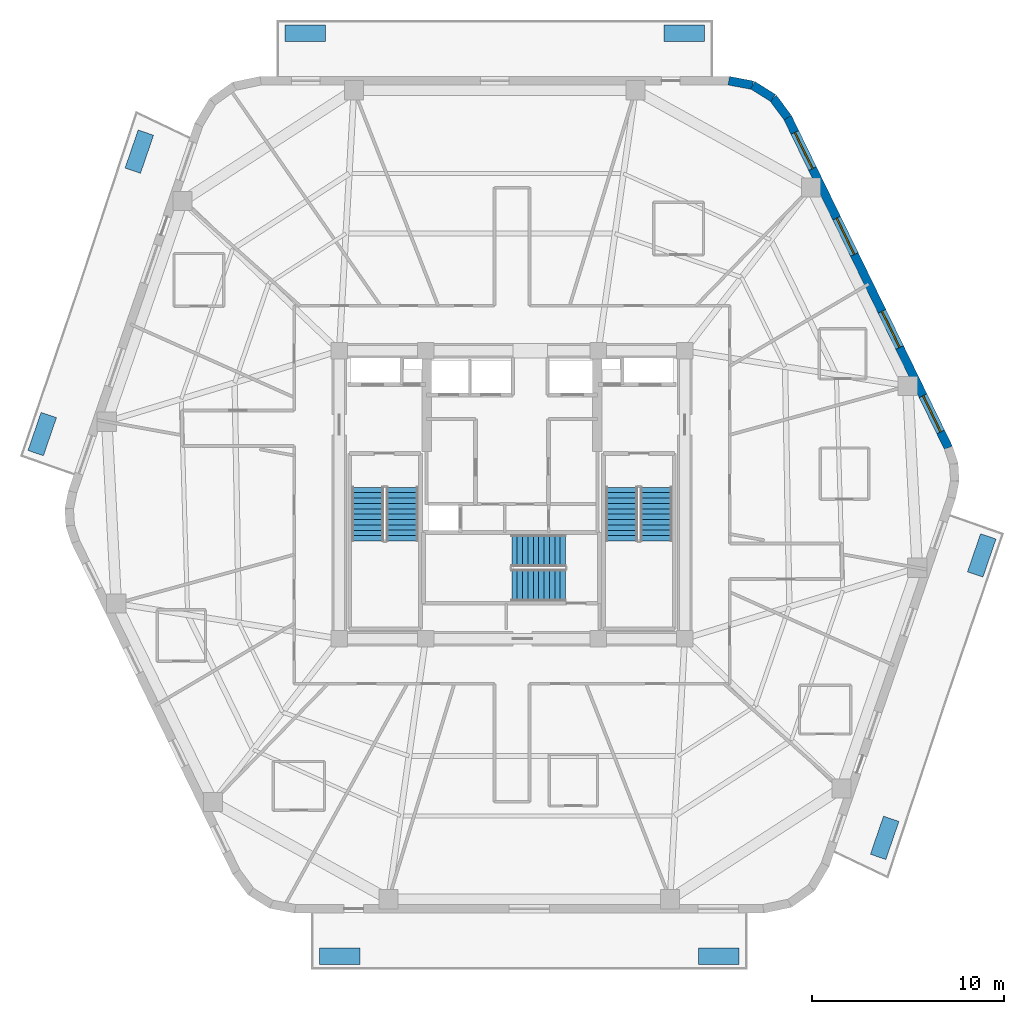
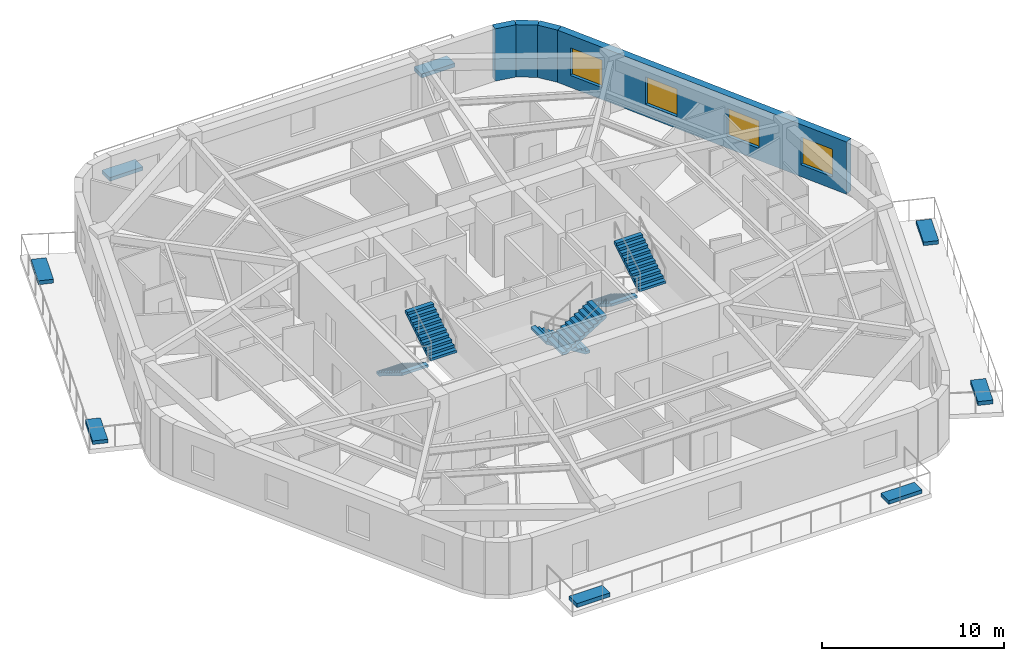
# One storey, part 7 of 9: 8 discrete accessories, 6 stair flights, 4 walls, 4 windows, 4 openings, 3 elements without a shape of their own.
"""IFC4 building model written with IfcOpenShell, lengths in metres."""

from ifc_helpers import new_model, si_unit, direction, frame, frame_2d, origin, origin_2d, place, context, subcontext, project, spatial, polyline, rectangle, outline, extrude, material, layer, layer_set, type_object, element, fill, aggregate, save


model = new_model("IFC4")

# Units and contexts
model_context = context("Model", 3, precision=1e-05, world=origin(), true_north=direction((0.0, 1.0)))
body_context = subcontext(model_context, "Body", "Model", "MODEL_VIEW")
ifc_project = project(units=[si_unit("LENGTHUNIT", "METRE"), si_unit("AREAUNIT", "SQUARE_METRE"), si_unit("VOLUMEUNIT", "CUBIC_METRE"), si_unit("PLANEANGLEUNIT", "RADIAN"), si_unit("MASSUNIT", "GRAM", prefix="KILO")], contexts=[model_context])

# Site, building, storey
site_placement = place(None, origin())
site = spatial("IfcSite", under=ifc_project, at=site_placement, CompositionType="ELEMENT")
building_placement = place(site_placement, origin())
building = spatial("IfcBuilding", under=site, at=building_placement, Name="Kilnhurst Terrace Hotel", CompositionType="ELEMENT")
storey_placement = place(building_placement, frame((0.0, 0.0, 229.300048828125)))
storey = spatial("IfcBuildingStorey", under=building, at=storey_placement, Name="L57", CompositionType="ELEMENT", Elevation=229.300048828125)

# Walls
ifc_material_1 = material(Name="Precast concrete C40/50", Category="concrete")
ifc_layer = layer(ifc_material_1, 0.449951171875, Name="Precast concrete C40/50")
ifc_layer_set = layer_set([ifc_layer], Name="Precast concrete C40/50")
wall_type = type_object("IfcWallType", Name="WL-BRK-450", PredefinedType="SOLIDWALL", material=ifc_layer_set)
wall_1_placement = place(storey_placement, frame((14.3623046875, 19.658447265625, 0.0), z_axis=(0.0, 0.0, 1.0), x_axis=(-0.596642462792, 0.80250717853, 0.0)))
element("IfcWall", 1, at=wall_1_placement, inside=storey, type_object=wall_type, Name="L57 Rounded Corner Brick Wall C4.1", PredefinedType="SOLIDWALL", context=body_context, shape_type="SweptSolid", body=[
    extrude(rectangle(XDim=1.27001953125, YDim=0.449951171875, at=frame_2d((0.635009765625, 0.0))), origin(), (0.0, 0.0, 1.0), 3.5),
])
wall_2_placement = place(storey_placement, frame((13.6044921875, 20.677734375, 0.0), z_axis=(0.0, 0.0, 1.0), x_axis=(-0.847910404124, 0.53013955387, 0.0)))
element("IfcWall", 2, at=wall_2_placement, inside=storey, type_object=wall_type, Name="L57 Rounded Corner Brick Wall C4.2", PredefinedType="SOLIDWALL", context=body_context, shape_type="SweptSolid", body=[
    extrude(rectangle(XDim=1.24853515625, YDim=0.449951171875, at=frame_2d((0.624267578125, 0.0))), origin(), (0.0, 0.0, 1.0), 3.5),
])
wall_3_placement = place(storey_placement, frame((12.5458984375, 21.339599609375, 0.0), z_axis=(0.0, 0.0, 1.0), x_axis=(-0.982686750835, 0.18527479519, 0.0)))
element("IfcWall", 3, at=wall_3_placement, inside=storey, type_object=wall_type, Name="L57 Rounded Corner Brick Wall C4.3", PredefinedType="SOLIDWALL", context=body_context, shape_type="SweptSolid", body=[
    extrude(rectangle(XDim=1.270263671875, YDim=0.449951171875, at=frame_2d((0.63525390625, 0.0))), origin(), (0.0, 0.0, 1.0), 3.5),
])

# Wall, openings, windows
wall_4_placement = place(storey_placement, frame((22.73974609375, 2.4521484375, 0.0), z_axis=(0.0, 0.0, 1.0), x_axis=(-0.437753424814, 0.899095066755, 0.0)))
wall_4 = element("IfcWall", 4, at=wall_4_placement, inside=storey, type_object=wall_type, Name="L57 Exterior Brick Facade Wall F3", PredefinedType="SOLIDWALL", context=body_context, shape_type="SweptSolid", body=[
    extrude(rectangle(XDim=19.137451171875, YDim=0.449951171875, at=frame_2d((9.56884765625, 0.0))), origin(), (0.0, 0.0, 1.0), 3.5),
])
opening_1_placement = place(wall_4_placement, frame((5.804931640625, 0.0, 0.800048828125)))
opening_1 = element("IfcOpeningElement", 5, at=opening_1_placement, cuts=wall_4, Name="Opening W-04", PredefinedType="OPENING", context=body_context, shape_type="SweptSolid", body=[
    extrude(rectangle(XDim=2.10009765625, YDim=1.85009765625, at=frame_2d((1.050048828125, 0.925048828125))), frame((0.0, 0.23486328125, 0.0), z_axis=(0.0, -1.0, 0.0), x_axis=(1.0, 0.0, 0.0)), (0.0, 0.0, 1.0), 0.469970703125),
])
opening_2_placement = place(wall_4_placement, frame((11.198974609375, 0.0, 0.800048828125)))
opening_2 = element("IfcOpeningElement", 6, at=opening_2_placement, cuts=wall_4, Name="Opening W-04", PredefinedType="OPENING", context=body_context, shape_type="SweptSolid", body=[
    extrude(rectangle(XDim=2.10009765625, YDim=1.85009765625, at=frame_2d((1.050048828125, 0.925048828125))), frame((0.0, 0.23486328125, 0.0), z_axis=(0.0, -1.0, 0.0), x_axis=(1.0, 0.0, 0.0)), (0.0, 0.0, 1.0), 0.469970703125),
])
opening_3_placement = place(wall_4_placement, frame((16.173095703125, 0.0, 0.800048828125)))
opening_3 = element("IfcOpeningElement", 7, at=opening_3_placement, cuts=wall_4, Name="Opening W-04", PredefinedType="OPENING", context=body_context, shape_type="SweptSolid", body=[
    extrude(rectangle(XDim=2.10009765625, YDim=1.85009765625, at=frame_2d((1.050048828125, 0.925048828125))), frame((0.0, 0.23486328125, 0.0), z_axis=(0.0, -1.0, 0.0), x_axis=(1.0, 0.0, 0.0)), (0.0, 0.0, 1.0), 0.469970703125),
])
opening_4_placement = place(wall_4_placement, frame((0.916015625, 0.0, 0.800048828125)))
opening_4 = element("IfcOpeningElement", 8, at=opening_4_placement, cuts=wall_4, Name="Opening W-04", PredefinedType="OPENING", context=body_context, shape_type="SweptSolid", body=[
    extrude(rectangle(XDim=2.10009765625, YDim=1.85009765625, at=frame_2d((1.050048828125, 0.925048828125))), frame((0.0, 0.23486328125, 0.0), z_axis=(0.0, -1.0, 0.0), x_axis=(1.0, 0.0, 0.0)), (0.0, 0.0, 1.0), 0.469970703125),
])
ifc_material_2 = material(Name="Thermally Broken Bronze Aluminium Alloy 6063-T6 and Low-E Glass", Category="aluminium")
window_type = type_object("IfcWindowType", Name="WIN-2100X1850", PartitioningType="SINGLE_PANEL", PredefinedType="WINDOW", material=ifc_material_2)
window_1_placement = place(opening_1_placement, origin())
window_1 = element("IfcWindow", 9, at=window_1_placement, inside=storey, type_object=window_type, Name="L57 Deep-Set Masonry Window F3.1", OverallHeight=1.85009765625, OverallWidth=2.10009765625, PartitioningType="SINGLE_PANEL", PredefinedType="WINDOW", context=body_context, shape_type="SweptSolid", body=[
    extrude(rectangle(XDim=2.10009765625, YDim=1.85009765625, at=frame_2d((1.050048828125, 0.925048828125))), frame((0.0, 0.030029296875, 0.0), z_axis=(0.0, -1.0, 0.0), x_axis=(1.0, 0.0, 0.0)), (0.0, 0.0, 1.0), 0.06005859375),
])
fill(opening_1, window_1)
window_2_placement = place(opening_2_placement, origin())
window_2 = element("IfcWindow", 10, at=window_2_placement, inside=storey, type_object=window_type, Name="L57 Deep-Set Masonry Window F3.2", OverallHeight=1.85009765625, OverallWidth=2.10009765625, PartitioningType="SINGLE_PANEL", PredefinedType="WINDOW", context=body_context, shape_type="SweptSolid", body=[
    extrude(rectangle(XDim=2.10009765625, YDim=1.85009765625, at=frame_2d((1.050048828125, 0.925048828125))), frame((0.0, 0.030029296875, 0.0), z_axis=(0.0, -1.0, 0.0), x_axis=(1.0, 0.0, 0.0)), (0.0, 0.0, 1.0), 0.06005859375),
])
fill(opening_2, window_2)
window_3_placement = place(opening_3_placement, origin())
window_3 = element("IfcWindow", 11, at=window_3_placement, inside=storey, type_object=window_type, Name="L57 Deep-Set Masonry Window F3.3", OverallHeight=1.85009765625, OverallWidth=2.10009765625, PartitioningType="SINGLE_PANEL", PredefinedType="WINDOW", context=body_context, shape_type="SweptSolid", body=[
    extrude(rectangle(XDim=2.10009765625, YDim=1.85009765625, at=frame_2d((1.050048828125, 0.925048828125))), frame((0.0, 0.030029296875, 0.0), z_axis=(0.0, -1.0, 0.0), x_axis=(1.0, 0.0, 0.0)), (0.0, 0.0, 1.0), 0.06005859375),
])
fill(opening_3, window_3)
window_4_placement = place(opening_4_placement, origin())
window_4 = element("IfcWindow", 12, at=window_4_placement, inside=storey, type_object=window_type, Name="L57 Deep-Set Masonry Window F3.4", OverallHeight=1.85009765625, OverallWidth=2.10009765625, PartitioningType="SINGLE_PANEL", PredefinedType="WINDOW", context=body_context, shape_type="SweptSolid", body=[
    extrude(rectangle(XDim=2.10009765625, YDim=1.85009765625, at=frame_2d((1.050048828125, 0.925048828125))), frame((0.0, 0.030029296875, 0.0), z_axis=(0.0, -1.0, 0.0), x_axis=(1.0, 0.0, 0.0)), (0.0, 0.0, 1.0), 0.06005859375),
])
fill(opening_4, window_4)

# Stair, stair flights
ifc_material_3 = material(Name="Concrete C50/60", Category="concrete")
stair_type = type_object("IfcStairType", Name="STR-CORE-1660", PredefinedType="HALF_TURN_STAIR", material=ifc_material_3)
stair_1_placement = place(storey_placement, origin())
stair_1 = element("IfcStair", 13, at=stair_1_placement, inside=storey, type_object=stair_type, Name="L57 ST-1", PredefinedType="HALF_TURN_STAIR")
stair_flight_type = type_object("IfcStairFlightType", Name="FLT-RC-1660", PredefinedType="STRAIGHT", material=ifc_material_3)
stair_flight_1_placement = place(storey_placement, frame((-7.52001953125, 0.389892578125, 0.0), z_axis=(0.0, 0.0, 1.0), x_axis=(0.0, -1.0, 0.0)))
stair_flight_1 = element("IfcStairFlight", 14, at=stair_flight_1_placement, type_object=stair_flight_type, Name="ST-1 flight 1", NumberOfRisers=11, NumberOfTreads=10, PredefinedType="STRAIGHT", RiserHeight=0.172727273, TreadLength=0.28, context=body_context, shape_type="SweptSolid", body=[
    extrude(outline(polyline([(0.0, 0.0), (0.0, 0.172607421875), (0.280029296875, 0.172607421875), (0.280029296875, 0.345458984375), (0.56005859375, 0.345458984375), (0.56005859375, 0.51806640625), (0.840087890625, 0.51806640625), (0.840087890625, 0.69091796875), (1.1201171875, 0.69091796875), (1.1201171875, 0.863525390625), (1.39990234375, 0.863525390625), (1.39990234375, 1.036376953125), (1.679931640625, 1.036376953125), (1.679931640625, 1.208984375), (1.9599609375, 1.208984375), (1.9599609375, 1.3818359375), (2.239990234375, 1.3818359375), (2.239990234375, 1.554443359375), (2.52001953125, 1.554443359375), (2.52001953125, 1.727294921875), (2.800048828125, 1.727294921875), (2.800048828125, 1.89990234375), (2.800048828125, 1.551025390625), (0.285400390625, 0.0), (0.0, 0.0)])), frame((0.0, 0.830078125, 0.0), z_axis=(0.0, -1.0, 0.0), x_axis=(1.0, 0.0, 0.0)), (0.0, 0.0, 1.0), 1.659912109375),
])
stair_flight_2_placement = place(storey_placement, frame((-5.7099609375, -2.409912109375, 1.89990234375), z_axis=(0.0, 0.0, 1.0), x_axis=(0.0, 1.0, 0.0)))
stair_flight_2 = element("IfcStairFlight", 15, at=stair_flight_2_placement, type_object=stair_flight_type, Name="ST-1 flight 2", NumberOfRisers=11, NumberOfTreads=10, PredefinedType="STRAIGHT", RiserHeight=0.172727273, TreadLength=0.28, context=body_context, shape_type="SweptSolid", body=[
    extrude(outline(polyline([(0.0, 0.0), (0.0, 0.172607421875), (0.280029296875, 0.172607421875), (0.280029296875, 0.345458984375), (0.56005859375, 0.345458984375), (0.56005859375, 0.51806640625), (0.840087890625, 0.51806640625), (0.840087890625, 0.69091796875), (1.1201171875, 0.69091796875), (1.1201171875, 0.863525390625), (1.39990234375, 0.863525390625), (1.39990234375, 1.036376953125), (1.679931640625, 1.036376953125), (1.679931640625, 1.208984375), (1.9599609375, 1.208984375), (1.9599609375, 1.3818359375), (2.239990234375, 1.3818359375), (2.239990234375, 1.554443359375), (2.52001953125, 1.554443359375), (2.52001953125, 1.727294921875), (2.800048828125, 1.727294921875), (2.800048828125, 1.89990234375), (2.800048828125, 1.551025390625), (0.285400390625, 0.0), (0.0, 0.0)])), frame((0.0, 0.830078125, 0.0), z_axis=(0.0, -1.0, 0.0), x_axis=(1.0, 0.0, 0.0)), (0.0, 0.0, 1.0), 1.659912109375),
])
aggregate(stair_1, [stair_flight_1, stair_flight_2])

stair_2_placement = place(storey_placement, origin())
stair_2 = element("IfcStair", 16, at=stair_2_placement, inside=storey, type_object=stair_type, Name="L57 ST-2", PredefinedType="HALF_TURN_STAIR")
stair_flight_3_placement = place(storey_placement, frame((5.7099609375, 0.389892578125, 0.0), z_axis=(0.0, 0.0, 1.0), x_axis=(0.0, -1.0, 0.0)))
stair_flight_3 = element("IfcStairFlight", 17, at=stair_flight_3_placement, type_object=stair_flight_type, Name="ST-2 flight 1", NumberOfRisers=11, NumberOfTreads=10, PredefinedType="STRAIGHT", RiserHeight=0.172727273, TreadLength=0.28, context=body_context, shape_type="SweptSolid", body=[
    extrude(outline(polyline([(0.0, 0.0), (0.0, 0.172607421875), (0.280029296875, 0.172607421875), (0.280029296875, 0.345458984375), (0.56005859375, 0.345458984375), (0.56005859375, 0.51806640625), (0.840087890625, 0.51806640625), (0.840087890625, 0.69091796875), (1.1201171875, 0.69091796875), (1.1201171875, 0.863525390625), (1.39990234375, 0.863525390625), (1.39990234375, 1.036376953125), (1.679931640625, 1.036376953125), (1.679931640625, 1.208984375), (1.9599609375, 1.208984375), (1.9599609375, 1.3818359375), (2.239990234375, 1.3818359375), (2.239990234375, 1.554443359375), (2.52001953125, 1.554443359375), (2.52001953125, 1.727294921875), (2.800048828125, 1.727294921875), (2.800048828125, 1.89990234375), (2.800048828125, 1.551025390625), (0.285400390625, 0.0), (0.0, 0.0)])), frame((0.0, 0.830078125, 0.0), z_axis=(0.0, -1.0, 0.0), x_axis=(1.0, 0.0, 0.0)), (0.0, 0.0, 1.0), 1.659912109375),
])
stair_flight_4_placement = place(storey_placement, frame((7.52001953125, -2.409912109375, 1.89990234375), z_axis=(0.0, 0.0, 1.0), x_axis=(0.0, 1.0, 0.0)))
stair_flight_4 = element("IfcStairFlight", 18, at=stair_flight_4_placement, type_object=stair_flight_type, Name="ST-2 flight 2", NumberOfRisers=11, NumberOfTreads=10, PredefinedType="STRAIGHT", RiserHeight=0.172727273, TreadLength=0.28, context=body_context, shape_type="SweptSolid", body=[
    extrude(outline(polyline([(0.0, 0.0), (0.0, 0.172607421875), (0.280029296875, 0.172607421875), (0.280029296875, 0.345458984375), (0.56005859375, 0.345458984375), (0.56005859375, 0.51806640625), (0.840087890625, 0.51806640625), (0.840087890625, 0.69091796875), (1.1201171875, 0.69091796875), (1.1201171875, 0.863525390625), (1.39990234375, 0.863525390625), (1.39990234375, 1.036376953125), (1.679931640625, 1.036376953125), (1.679931640625, 1.208984375), (1.9599609375, 1.208984375), (1.9599609375, 1.3818359375), (2.239990234375, 1.3818359375), (2.239990234375, 1.554443359375), (2.52001953125, 1.554443359375), (2.52001953125, 1.727294921875), (2.800048828125, 1.727294921875), (2.800048828125, 1.89990234375), (2.800048828125, 1.551025390625), (0.285400390625, 0.0), (0.0, 0.0)])), frame((0.0, 0.830078125, 0.0), z_axis=(0.0, -1.0, 0.0), x_axis=(1.0, 0.0, 0.0)), (0.0, 0.0, 1.0), 1.659912109375),
])
aggregate(stair_2, [stair_flight_3, stair_flight_4])

stair_3_placement = place(storey_placement, origin())
stair_3 = element("IfcStair", 19, at=stair_3_placement, inside=storey, type_object=stair_type, Name="L57 ST-3", PredefinedType="HALF_TURN_STAIR")
stair_flight_5_placement = place(storey_placement, frame((2.7900390625, -2.909912109375, 0.0), z_axis=(0.0, 0.0, 1.0), x_axis=(-1.0, 0.0, 0.0)))
stair_flight_5 = element("IfcStairFlight", 20, at=stair_flight_5_placement, type_object=stair_flight_type, Name="ST-3 flight 1", NumberOfRisers=11, NumberOfTreads=10, PredefinedType="STRAIGHT", RiserHeight=0.172727273, TreadLength=0.28, context=body_context, shape_type="SweptSolid", body=[
    extrude(outline(polyline([(0.0, 0.0), (0.0, 0.172607421875), (0.280029296875, 0.172607421875), (0.280029296875, 0.345458984375), (0.56005859375, 0.345458984375), (0.56005859375, 0.51806640625), (0.840087890625, 0.51806640625), (0.840087890625, 0.69091796875), (1.1201171875, 0.69091796875), (1.1201171875, 0.863525390625), (1.39990234375, 0.863525390625), (1.39990234375, 1.036376953125), (1.679931640625, 1.036376953125), (1.679931640625, 1.208984375), (1.9599609375, 1.208984375), (1.9599609375, 1.3818359375), (2.239990234375, 1.3818359375), (2.239990234375, 1.554443359375), (2.52001953125, 1.554443359375), (2.52001953125, 1.727294921875), (2.800048828125, 1.727294921875), (2.800048828125, 1.89990234375), (2.800048828125, 1.551025390625), (0.285400390625, 0.0), (0.0, 0.0)])), frame((0.0, 0.830078125, 0.0), z_axis=(0.0, -1.0, 0.0), x_axis=(1.0, 0.0, 0.0)), (0.0, 0.0, 1.0), 1.659912109375),
])
stair_flight_6_placement = place(storey_placement, frame((-0.010009765625, -4.719970703125, 1.89990234375), z_axis=(0.0, 0.0, 1.0), x_axis=(1.0, 0.0, 0.0)))
stair_flight_6 = element("IfcStairFlight", 21, at=stair_flight_6_placement, type_object=stair_flight_type, Name="ST-3 flight 2", NumberOfRisers=11, NumberOfTreads=10, PredefinedType="STRAIGHT", RiserHeight=0.172727273, TreadLength=0.28, context=body_context, shape_type="SweptSolid", body=[
    extrude(outline(polyline([(0.0, 0.0), (0.0, 0.172607421875), (0.280029296875, 0.172607421875), (0.280029296875, 0.345458984375), (0.56005859375, 0.345458984375), (0.56005859375, 0.51806640625), (0.840087890625, 0.51806640625), (0.840087890625, 0.69091796875), (1.1201171875, 0.69091796875), (1.1201171875, 0.863525390625), (1.39990234375, 0.863525390625), (1.39990234375, 1.036376953125), (1.679931640625, 1.036376953125), (1.679931640625, 1.208984375), (1.9599609375, 1.208984375), (1.9599609375, 1.3818359375), (2.239990234375, 1.3818359375), (2.239990234375, 1.554443359375), (2.52001953125, 1.554443359375), (2.52001953125, 1.727294921875), (2.800048828125, 1.727294921875), (2.800048828125, 1.89990234375), (2.800048828125, 1.551025390625), (0.285400390625, 0.0), (0.0, 0.0)])), frame((0.0, 0.830078125, 0.0), z_axis=(0.0, -1.0, 0.0), x_axis=(1.0, 0.0, 0.0)), (0.0, 0.0, 1.0), 1.659912109375),
])
aggregate(stair_3, [stair_flight_5, stair_flight_6])

# Discrete accessories
ifc_material_4 = material(Name="Precast Concrete C40/50 Shrub Planter", Category="concrete")
discrete_accessory_type_1 = type_object("IfcDiscreteAccessoryType", Name="PLN-SHRUB-240", PredefinedType="USERDEFINED", material=ifc_material_4)
for number, where, z_axis, x_axis, name in (
    (22, (10.77490234375, -24.050048828125, 0.0), (0.0, 0.0, 1.0), (1.0, 0.0, 0.0), "L57 Structural Tree Planter Box PLANTER BAL-L1A.2"),
    (23, (24.47998046875, -3.16259765625, 0.0), (0.0, 0.0, 1.0), (0.325089542819, 0.94568323933, 0.0), "L57 Structural Tree Planter Box PLANTER BAL-L1B.2"),
    (24, (-10.77490234375, 24.050048828125, 0.0), (0.0, 0.0, 1.0), (-1.0, 0.0, 0.0), "L57 Structural Tree Planter Box PLANTER BAL-L2A.2"),
    (25, (-24.47998046875, 3.16259765625, 0.0), (0.0, 0.0, 1.0), (-0.325089542819, -0.94568323933, 0.0), "L57 Structural Tree Planter Box PLANTER BAL-L2B.2"),
):
    element("IfcDiscreteAccessory", number, at=place(storey_placement, frame(where, z_axis=z_axis, x_axis=x_axis)), inside=storey, type_object=discrete_accessory_type_1, Name=name, ObjectType="PLANTER", PredefinedType="USERDEFINED", context=body_context, shape_type="SweptSolid", body=[
        extrude(rectangle(XDim=2.10009765625, YDim=0.85009765625, at=origin_2d()), origin(), (0.0, 0.0, 1.0), 0.239990234375),
    ])
ifc_material_5 = material(Name="Precast Concrete C40/50 Tree Planter", Category="concrete")
discrete_accessory_type_2 = type_object("IfcDiscreteAccessoryType", Name="PLN-TREE-260", PredefinedType="USERDEFINED", material=ifc_material_5)
for number, where, z_axis, x_axis, name in (
    (26, (-8.96875, -24.050048828125, 0.0), (0.0, 0.0, 1.0), (1.0, 0.0, 0.0), "L57 Structural Tree Planter Box PLANTER BAL-L1A.1"),
    (27, (19.4208984375, -17.87939453125, 0.0), (0.0, 0.0, 1.0), (0.325089542819, 0.94568323933, 0.0), "L57 Structural Tree Planter Box PLANTER BAL-L1B.1"),
    (28, (8.96875, 24.050048828125, 0.0), (0.0, 0.0, 1.0), (-1.0, 0.0, 0.0), "L57 Structural Tree Planter Box PLANTER BAL-L2A.1"),
    (29, (-19.4208984375, 17.87939453125, 0.0), (0.0, 0.0, 1.0), (-0.325089542819, -0.94568323933, 0.0), "L57 Structural Tree Planter Box PLANTER BAL-L2B.1"),
):
    element("IfcDiscreteAccessory", number, at=place(storey_placement, frame(where, z_axis=z_axis, x_axis=x_axis)), inside=storey, type_object=discrete_accessory_type_2, Name=name, ObjectType="PLANTER", PredefinedType="USERDEFINED", context=body_context, shape_type="SweptSolid", body=[
        extrude(rectangle(XDim=2.10009765625, YDim=0.85009765625, at=origin_2d()), origin(), (0.0, 0.0, 1.0), 0.260009765625),
    ])

save(model, "model.ifc")
